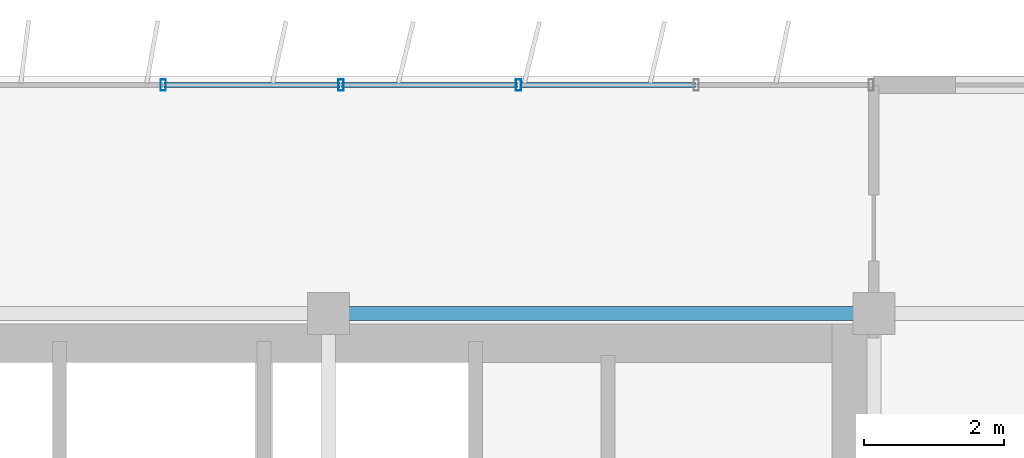
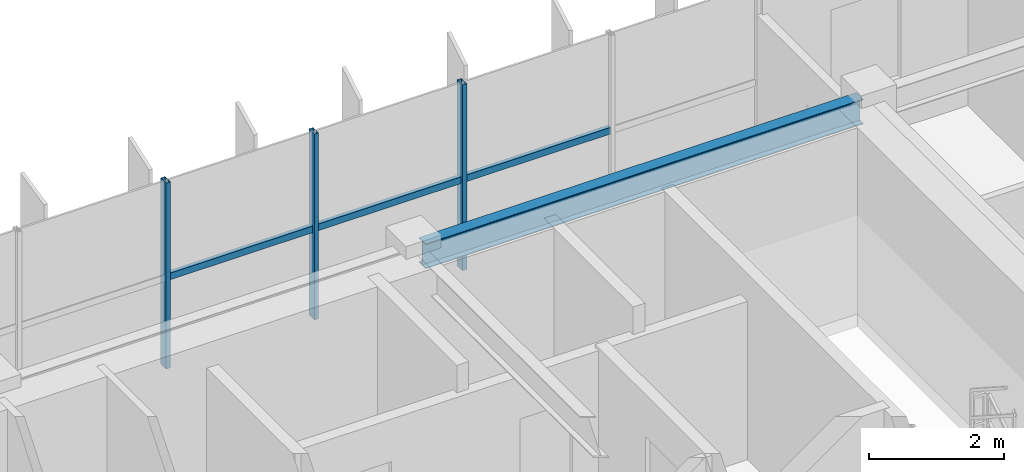
# One storey, part 12 of 22: 6 members, 1 beam, 1 element without a shape of its own.
"""IFC4 building model written with IfcOpenShell, lengths in metres."""

from ifc_helpers import new_model, si_unit, direction, frame, origin, origin_2d, place, context, subcontext, project, spatial, hollow_rectangle, i_section, extrude, source, transform, mapped, material, material_profile, profile_set, type_object, element, aggregate, save


model = new_model("IFC4")

# Units and contexts
model_context = context("Model", 3, precision=1e-05, world=origin(), true_north=direction((0.0, 1.0)))
body_context = subcontext(model_context, "Body", "Model", "MODEL_VIEW")
ifc_project = project(units=[si_unit("LENGTHUNIT", "METRE"), si_unit("AREAUNIT", "SQUARE_METRE"), si_unit("VOLUMEUNIT", "CUBIC_METRE"), si_unit("PLANEANGLEUNIT", "RADIAN"), si_unit("MASSUNIT", "GRAM", prefix="KILO")], contexts=[model_context])

# Site, building, storey
site_placement = place(None, origin())
site = spatial("IfcSite", under=ifc_project, at=site_placement, CompositionType="ELEMENT")
building_placement = place(site_placement, origin())
building = spatial("IfcBuilding", under=site, at=building_placement, Name="Trelvane Seafront Commons", CompositionType="ELEMENT")
storey_placement = place(building_placement, frame((0.0, 0.0, 277.5)))
storey = spatial("IfcBuildingStorey", under=building, at=storey_placement, Name="L72", CompositionType="ELEMENT", Elevation=277.5)

# Beam
ifc_material_1 = material(Name="Steel SM355 (S355)", Category="steel")
ifc_material_profile_1 = material_profile(ifc_material_1, i_section(OverallWidth=0.199951171875, OverallDepth=0.449951171875, WebThickness=0.009033203125, FlangeThickness=0.013916015625, at=origin_2d()), Name="H-450x200x9x14")
ifc_profile_set_1 = profile_set([ifc_material_profile_1], Name="Steel SM355 (S355)")
beam_type = type_object("IfcBeamType", Name="STR-SPD-H450", PredefinedType="SPANDREL", material=ifc_profile_set_1)
shared_shape_1 = source(origin(), body_context, "Body", "SweptSolid", [
    extrude(i_section(OverallWidth=0.199951171875, OverallDepth=0.449951171875, WebThickness=0.009033203125, FlangeThickness=0.013916015625, at=origin_2d()), origin(), (0.0, 0.0, 1.0), 7.5),
])
beam_placement = place(storey_placement, frame((51.14990234375, 45.10009765625, 3.14501953125), z_axis=(1.0, 0.0, 0.0), x_axis=(0.0, 1.0, 0.0)))
element("IfcBeam", 1, at=beam_placement, inside=storey, type_object=beam_type, Name="L72 Primary Girder G-27", PredefinedType="SPANDREL", context=body_context, shape_type="MappedRepresentation", body=[
    mapped(shared_shape_1, transform((0.0, 0.0, 0.0), x_axis=(1.0, 0.0, 0.0), y_axis=(0.0, 1.0, 0.0), z_axis=(0.0, 0.0, 1.0), scale=1.0)),
])

# Curtain wall, members
ifc_material_2 = material(Name="Anodised pale-silver aluminium", Category="aluminium")
curtain_wall_type = type_object("IfcCurtainWallType", Name="ARCH-CW5-UPTOWER", PredefinedType="NOTDEFINED", material=ifc_material_2)
curtain_wall_placement = place(storey_placement, origin())
curtain_wall = element("IfcCurtainWall", 2, at=curtain_wall_placement, inside=storey, type_object=curtain_wall_type, Name="CW-L72-0116", PredefinedType="NOTDEFINED")
ifc_material_profile_2 = material_profile(ifc_material_2, hollow_rectangle(XDim=0.070068359375, YDim=0.1201171875, WallThickness=0.00390625, at=origin_2d()), Name="TRAN-70x120x4")
ifc_profile_set_2 = profile_set([ifc_material_profile_2], Name="Anodised pale-silver aluminium")
member_type_1 = type_object("IfcMemberType", Name="ARCH-CW-TRAN-120", PredefinedType="USERDEFINED", material=ifc_profile_set_2)
shared_shape_2 = source(origin(), body_context, "Body", "SweptSolid", [
    extrude(hollow_rectangle(XDim=0.070068359375, YDim=0.1201171875, WallThickness=0.00390625, at=origin_2d()), origin(), (0.0, 0.0, 1.0), 2.51708984375),
])
member_1_placement = place(storey_placement, frame((51.1884765625, 48.3701171875, 1.617919921875), z_axis=(1.0, 0.0, 0.0), x_axis=(0.0, 1.0, 0.0)))
member_1 = element("IfcMember", 3, at=member_1_placement, type_object=member_type_1, Name="CW-L72-0116-T14", ObjectType="TRANSOM", PredefinedType="USERDEFINED", context=body_context, shape_type="MappedRepresentation", body=[
    mapped(shared_shape_2, transform((0.0, 0.0, 0.0), x_axis=(1.0, 0.0, 0.0), y_axis=(0.0, 1.0, 0.0), z_axis=(0.0, 0.0, 1.0), scale=1.0)),
])
shared_shape_3 = source(origin(), body_context, "Body", "SweptSolid", [
    extrude(hollow_rectangle(XDim=0.070068359375, YDim=0.1201171875, WallThickness=0.00390625, at=origin_2d()), origin(), (0.0, 0.0, 1.0), 2.517333984375),
])
member_2_placement = place(storey_placement, frame((48.647216796875, 48.3701171875, 1.617919921875), z_axis=(1.0, 0.0, 0.0), x_axis=(0.0, 1.0, 0.0)))
member_2 = element("IfcMember", 4, at=member_2_placement, type_object=member_type_1, Name="CW-L72-0116-T13", ObjectType="TRANSOM", PredefinedType="USERDEFINED", context=body_context, shape_type="MappedRepresentation", body=[
    mapped(shared_shape_3, transform((0.0, 0.0, 0.0), x_axis=(1.0, 0.0, 0.0), y_axis=(0.0, 1.0, 0.0), z_axis=(0.0, 0.0, 1.0), scale=1.0)),
])
member_3_placement = place(storey_placement, frame((53.7294921875, 48.3701171875, 1.617919921875), z_axis=(1.0, 0.0, 0.0), x_axis=(0.0, 1.0, 0.0)))
member_3 = element("IfcMember", 5, at=member_3_placement, type_object=member_type_1, Name="CW-L72-0116-T15", ObjectType="TRANSOM", PredefinedType="USERDEFINED", context=body_context, shape_type="MappedRepresentation", body=[
    mapped(shared_shape_3, transform((0.0, 0.0, 0.0), x_axis=(1.0, 0.0, 0.0), y_axis=(0.0, 1.0, 0.0), z_axis=(0.0, 0.0, 1.0), scale=1.0)),
])
ifc_material_profile_3 = material_profile(ifc_material_2, hollow_rectangle(XDim=0.074951171875, YDim=0.159912109375, WallThickness=0.00390625, at=origin_2d()), Name="MULL-75x160x4")
ifc_profile_set_3 = profile_set([ifc_material_profile_3], Name="Anodised pale-silver aluminium")
member_type_2 = type_object("IfcMemberType", Name="ARCH-CW-MULL-160", PredefinedType="MULLION", material=ifc_profile_set_3)
shared_shape_4 = source(origin(), body_context, "Body", "SweptSolid", [
    extrude(hollow_rectangle(XDim=0.074951171875, YDim=0.159912109375, WallThickness=0.00390625, at=origin_2d()), origin(), (0.0, 0.0, 1.0), 3.3701171875),
])
member_4_placement = place(storey_placement, frame((48.63525390625, 48.3701171875, 0.0), z_axis=(0.0, 0.0, 1.0), x_axis=(1.0, 0.0, 0.0)))
member_4 = element("IfcMember", 6, at=member_4_placement, type_object=member_type_2, Name="CW-L72-0116-M13", PredefinedType="MULLION", context=body_context, shape_type="MappedRepresentation", body=[
    mapped(shared_shape_4, transform((0.0, 0.0, 0.0), x_axis=(1.0, 0.0, 0.0), y_axis=(0.0, 1.0, 0.0), z_axis=(0.0, 0.0, 1.0), scale=1.0)),
])
member_5_placement = place(storey_placement, frame((51.176513671875, 48.3701171875, 0.0), z_axis=(0.0, 0.0, 1.0), x_axis=(1.0, 0.0, 0.0)))
member_5 = element("IfcMember", 7, at=member_5_placement, type_object=member_type_2, Name="CW-L72-0116-M14", PredefinedType="MULLION", context=body_context, shape_type="MappedRepresentation", body=[
    mapped(shared_shape_4, transform((0.0, 0.0, 0.0), x_axis=(1.0, 0.0, 0.0), y_axis=(0.0, 1.0, 0.0), z_axis=(0.0, 0.0, 1.0), scale=1.0)),
])
member_6_placement = place(storey_placement, frame((53.717529296875, 48.3701171875, 0.0), z_axis=(0.0, 0.0, 1.0), x_axis=(1.0, 0.0, 0.0)))
member_6 = element("IfcMember", 8, at=member_6_placement, type_object=member_type_2, Name="CW-L72-0116-M15", PredefinedType="MULLION", context=body_context, shape_type="MappedRepresentation", body=[
    mapped(shared_shape_4, transform((0.0, 0.0, 0.0), x_axis=(1.0, 0.0, 0.0), y_axis=(0.0, 1.0, 0.0), z_axis=(0.0, 0.0, 1.0), scale=1.0)),
])
aggregate(curtain_wall, [member_4, member_5, member_6, member_2, member_1, member_3])

save(model, "model.ifc")
